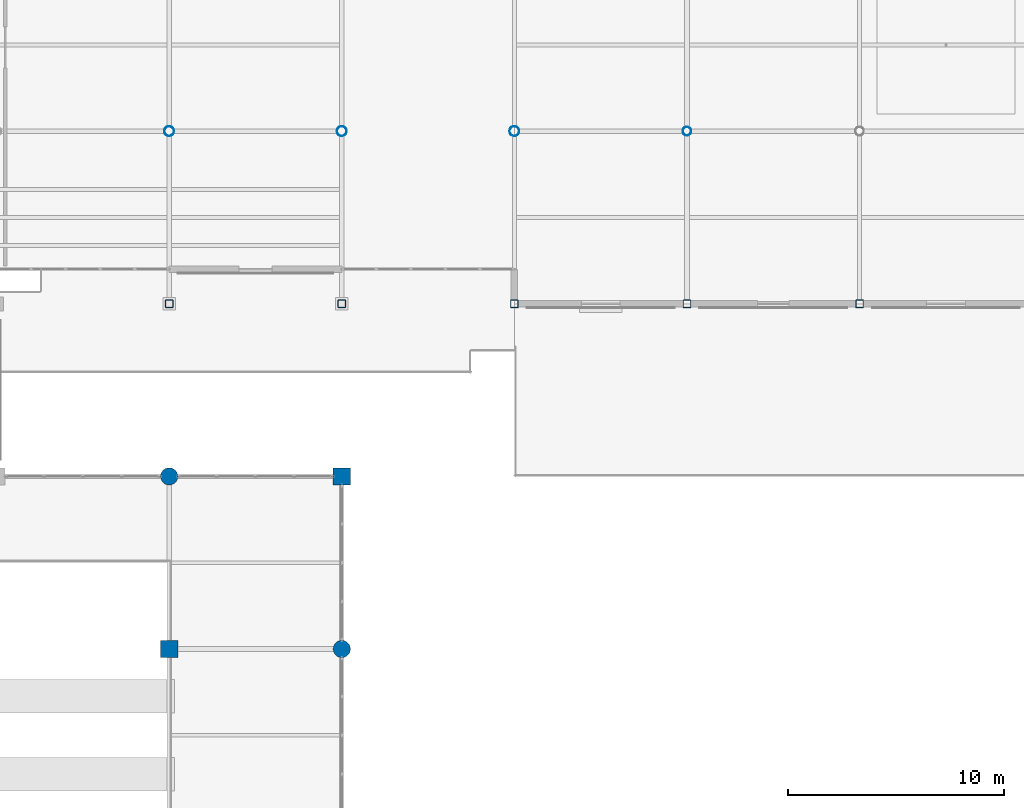
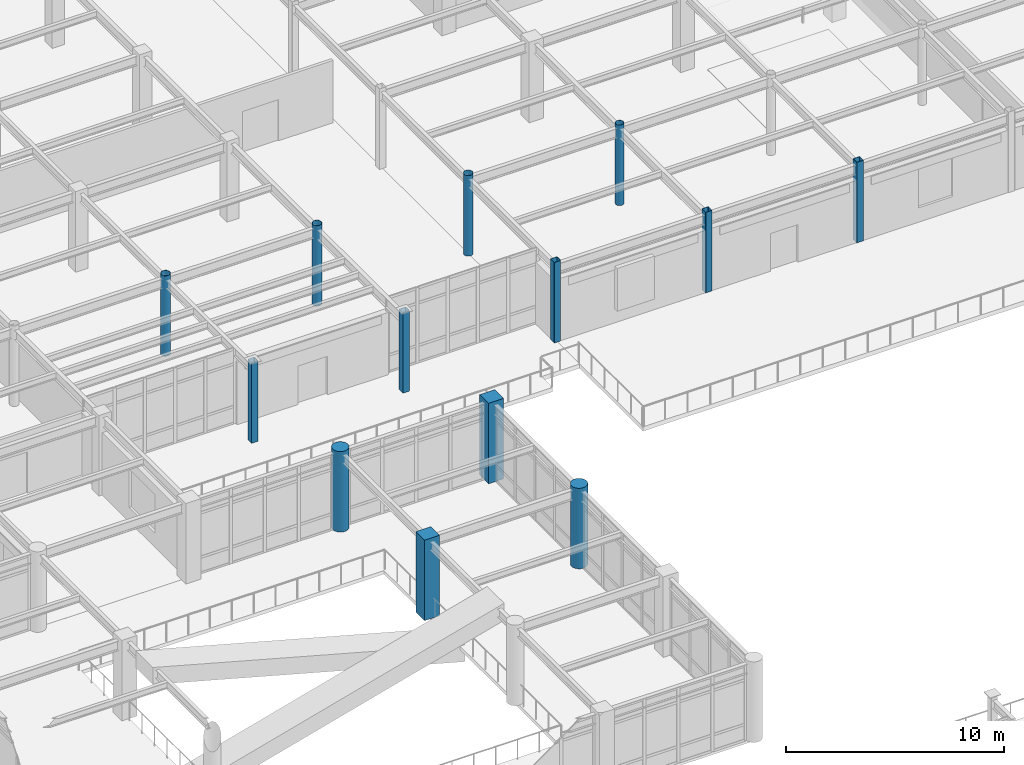
# One storey, part 12 of 111: 13 columns.
"""IFC4 building model written with IfcOpenShell, lengths in metres."""

import ifcopenshell
import ifcopenshell.guid

model = None  # the IFC model being written
_history = None  # IfcOwnerHistory: only IFC2X3 demands one
_inside = {}  # id of a spatial element -> (the spatial element, [elements in it])
_under = {}  # id of a project, library or spatial element -> (it, [spatial elements below it])
_declared = {}  # id of a project -> (the project, [libraries it declares])
_typed = {}  # id of a type object -> (the type object, [elements of that type])
_made_of = {}  # id of a material, layer set ... -> (it, [elements and type objects made of it])


def new_model(schema):
    """Start an empty IFC model of exactly this schema.

    Asked for "IFC4X3", IfcOpenShell would pick the latest addendum, in which some entities
    have other attributes; the version numbers below select the first issue.
    IFC2X3 requires an IfcOwnerHistory on every rooted entity: one is made here for all.
    """
    global model, _history
    if schema == "IFC4X3":
        model = ifcopenshell.file(schema_version=(4, 3, 0, 0))
    else:
        model = ifcopenshell.file(schema=schema)
    _inside.clear()
    _under.clear()
    _declared.clear()
    _typed.clear()
    _made_of.clear()
    _history = None
    if model.schema == "IFC2X3":
        org = make("IfcOrganization", Name="unknown")
        user = make(
            "IfcPersonAndOrganization",
            ThePerson=make("IfcPerson", FamilyName="unknown"),
            TheOrganization=org,
        )
        app = make(
            "IfcApplication",
            ApplicationDeveloper=org,
            Version="unknown",
            ApplicationFullName="unknown",
            ApplicationIdentifier="unknown",
        )
        _history = make(
            "IfcOwnerHistory",
            OwningUser=user,
            OwningApplication=app,
            ChangeAction="ADDED",
            CreationDate=0,
        )
    return model


def make(cls, **values):
    """One entity of the class cls with the attributes given. An attribute that is None is left unset."""
    return model.create_entity(
        cls, **{name: value for name, value in values.items() if value is not None}
    )


def rooted(cls, **values):
    """An entity with a GlobalId (a new one), such as an element, a storey or a relation."""
    return make(cls, GlobalId=ifcopenshell.guid.new(), OwnerHistory=_history, **values)


def si_unit(unit_type, name, prefix=None):
    """IfcSIUnit, for example si_unit("LENGTHUNIT", "METRE", prefix="MILLI")."""
    return make("IfcSIUnit", UnitType=unit_type, Prefix=prefix, Name=name)


def assignment(units):
    """IfcUnitAssignment: the units of a project."""
    return None if units is None else make("IfcUnitAssignment", Units=units)


def point(xyz):
    """IfcCartesianPoint."""
    return None if xyz is None else make("IfcCartesianPoint", Coordinates=xyz)


def direction(xyz):
    """IfcDirection."""
    return None if xyz is None else make("IfcDirection", DirectionRatios=xyz)


def frame(location, z_axis=None, x_axis=None):
    """IfcAxis2Placement3D, a coordinate frame: its origin and axes. An axis left out is left unset."""
    return make(
        "IfcAxis2Placement3D",
        Location=point(location),
        Axis=direction(z_axis),
        RefDirection=direction(x_axis),
    )


def frame_2d(location, x_axis=None):
    """IfcAxis2Placement2D, a coordinate frame in the plane: its origin and x axis."""
    return make(
        "IfcAxis2Placement2D", Location=point(location), RefDirection=direction(x_axis)
    )


def origin():
    """The frame at (0, 0, 0) with its axes left unset."""
    return frame((0.0, 0.0, 0.0))


def origin_2d():
    """The frame at (0, 0) in the plane with its x axis left unset."""
    return frame_2d((0.0, 0.0))


def place(relative_to, where):
    """IfcLocalPlacement: puts the frame where relative to a parent placement (None: the world)."""
    return make(
        "IfcLocalPlacement", PlacementRelTo=relative_to, RelativePlacement=where
    )


def context(
    kind, dimensions, precision=None, world=None, true_north=None, identifier=None
):
    """IfcGeometricRepresentationContext, for example the 3D "Model" context."""
    return make(
        "IfcGeometricRepresentationContext",
        ContextIdentifier=identifier,
        ContextType=kind,
        CoordinateSpaceDimension=dimensions,
        Precision=precision,
        WorldCoordinateSystem=world,
        TrueNorth=true_north,
    )


def subcontext(parent, identifier, kind, view, scale=None):
    """IfcGeometricRepresentationSubContext, for example "Body" below "Model"."""
    return make(
        "IfcGeometricRepresentationSubContext",
        ContextIdentifier=identifier,
        ContextType=kind,
        ParentContext=parent,
        TargetScale=scale,
        TargetView=view,
    )


def project(units=None, contexts=None):
    """IfcProject with its units and contexts."""
    return rooted(
        "IfcProject",
        Name="project",
        RepresentationContexts=contexts,
        UnitsInContext=assignment(units),
    )


def spatial(cls, under=None, at=None, **own):
    """A site, building, storey or space (cls), placed at a placement, below another one or the project."""
    s = rooted(cls, ObjectPlacement=at, **own)
    if under is not None:
        _under.setdefault(under.id(), (under, []))[1].append(s)
    return s


def profile(cls, at=None, kind="AREA", **sizes):
    """A parametric profile (cls). Its sizes go by their IFC names, for example OverallWidth=200.0."""
    return make(cls, ProfileType=kind, Position=at, **sizes)


def rectangle(**sizes):
    """IfcRectangleProfileDef."""
    return profile("IfcRectangleProfileDef", **sizes)


def hollow_rectangle(**sizes):
    """IfcRectangleHollowProfileDef."""
    return profile("IfcRectangleHollowProfileDef", **sizes)


def circle(**sizes):
    """IfcCircleProfileDef."""
    return profile("IfcCircleProfileDef", **sizes)


def hollow_circle(**sizes):
    """IfcCircleHollowProfileDef."""
    return profile("IfcCircleHollowProfileDef", **sizes)


def extrude(swept, where, along, depth):
    """IfcExtrudedAreaSolid: the profile swept, set in the frame where, extruded along a direction by depth."""
    return make(
        "IfcExtrudedAreaSolid",
        SweptArea=swept,
        Position=where,
        ExtrudedDirection=direction(along),
        Depth=depth,
    )


def shape(context_of_items, identifier, shape_type, items):
    """IfcShapeRepresentation: the items that make up one representation, for example the "Body"."""
    return make(
        "IfcShapeRepresentation",
        ContextOfItems=context_of_items,
        RepresentationIdentifier=identifier,
        RepresentationType=shape_type,
        Items=items,
    )


def material(Name=None, Category=None):
    """IfcMaterial."""
    return make("IfcMaterial", Name=Name, Category=Category)


def material_profile(
    of_material, cross_section, Name=None, Category=None, Priority=None
):
    """IfcMaterialProfile: a cross section and its material."""
    return make(
        "IfcMaterialProfile",
        Name=Name,
        Material=of_material,
        Profile=cross_section,
        Priority=Priority,
        Category=Category,
    )


def profile_set(profiles, Name=None, composite=None):
    """IfcMaterialProfileSet."""
    return make(
        "IfcMaterialProfileSet",
        Name=Name,
        MaterialProfiles=profiles,
        CompositeProfile=composite,
    )


def made_of(thing, what):
    """Note that an element or type object is made of a material, layer set ...; save() writes the relation."""
    if what is not None:
        _made_of.setdefault(what.id(), (what, []))[1].append(thing)
    return thing


def type_object(cls, material=None, **own):
    """A type object (cls), such as IfcWallType, which elements share."""
    return made_of(rooted(cls, **own), material)


def element(
    cls,
    number,
    at=None,
    inside=None,
    cuts=None,
    type_object=None,
    material=None,
    context=None,
    identifier="Body",
    shape_type=None,
    held_by="IfcProductDefinitionShape",
    body=None,
    shapes=None,
    **own,
):
    """One element of the class cls, such as IfcWall. Its Tag is "e" and its number.

    at: its placement. inside: the storey or other place that contains it. cuts: it is an
    opening in that element (IfcRelVoidsElement). A single representation is given by context,
    identifier, shape_type and body (its items); several are given by shapes. held_by: the class
    of the entity that holds the representations. save() writes the other relations.
    """
    e = rooted(cls, Tag="e%d" % number, ObjectPlacement=at, **own)
    if body is not None:
        shapes = [shape(context, identifier, shape_type, body)]
    if shapes is not None:
        e.Representation = make(held_by, Representations=shapes)
    if inside is not None:
        _inside.setdefault(inside.id(), (inside, []))[1].append(e)
    if cuts is not None:
        rooted(
            "IfcRelVoidsElement", RelatingBuildingElement=cuts, RelatedOpeningElement=e
        )
    if type_object is not None:
        _typed.setdefault(type_object.id(), (type_object, []))[1].append(e)
    return made_of(e, material)


def aggregate(whole, parts):
    """IfcRelAggregates: a whole, such as a stair, and the parts it consists of."""
    return rooted("IfcRelAggregates", RelatingObject=whole, RelatedObjects=parts)


def save(model, path):
    """Write the relations noted so far, then the file.

    IfcRelAggregates (storeys below a building ...), IfcRelContainedInSpatialStructure (elements
    in a storey), IfcRelDefinesByType, IfcRelAssociatesMaterial and IfcRelDeclares: one each for
    every whole, place, type object, material and project.
    """
    for whole, parts in _under.values():
        aggregate(whole, parts)
    for where, things in _inside.values():
        rooted(
            "IfcRelContainedInSpatialStructure",
            RelatedElements=things,
            RelatingStructure=where,
        )
    for kind, things in _typed.values():
        rooted("IfcRelDefinesByType", RelatedObjects=things, RelatingType=kind)
    for what, things in _made_of.values():
        rooted("IfcRelAssociatesMaterial", RelatedObjects=things, RelatingMaterial=what)
    for by, libraries in _declared.values():
        rooted("IfcRelDeclares", RelatingContext=by, RelatedDefinitions=libraries)
    model.write(path)


model = new_model("IFC4")

# Units and contexts
model_context = context("Model", 3, precision=1e-05, world=origin(), true_north=direction((0.0, 1.0)))
body_context = subcontext(model_context, "Body", "Model", "MODEL_VIEW")
ifc_project = project(units=[si_unit("LENGTHUNIT", "METRE"), si_unit("AREAUNIT", "SQUARE_METRE"), si_unit("VOLUMEUNIT", "CUBIC_METRE"), si_unit("PLANEANGLEUNIT", "RADIAN"), si_unit("MASSUNIT", "GRAM", prefix="KILO")], contexts=[model_context])

# Site, building, storey
site_placement = place(None, origin())
site = spatial("IfcSite", under=ifc_project, at=site_placement, CompositionType="ELEMENT")
building_placement = place(site_placement, origin())
building = spatial("IfcBuilding", under=site, at=building_placement, Name="Solmirada Galleria", CompositionType="ELEMENT")
storey_placement = place(building_placement, frame((0.0, 0.0, 10.39990234375)))
storey = spatial("IfcBuildingStorey", under=building, at=storey_placement, Name="L02", CompositionType="ELEMENT", Elevation=10.39990234375)

# Columns
ifc_material_1 = material(Name="Steel S355 / ASTM A500 Grade C", Category="steel")
ifc_material_profile_1 = material_profile(ifc_material_1, hollow_circle(Radius=0.202880859375, WallThickness=0.01171875, at=origin_2d()), Name="HSS16.000X0.500")
ifc_profile_set_1 = profile_set([ifc_material_profile_1], Name="Steel S355 / ASTM A500 Grade C")
column_type_1 = type_object("IfcColumnType", Name="COL-CHS16", PredefinedType="COLUMN", material=ifc_profile_set_1)
column_placement = place(storey_placement, frame((128.0, 88.0, 0.0), z_axis=(0.0, 0.0, 1.0), x_axis=(1.0, 0.0, 0.0)))
element("IfcColumn", 1, at=column_placement, inside=storey, type_object=column_type_1, Name="Structural column L02-1062", PredefinedType="COLUMN", context=body_context, shape_type="SweptSolid", body=[
    extrude(hollow_circle(Radius=0.202880859375, WallThickness=0.01171875, at=origin_2d()), origin(), (0.0, 0.0, 1.0), 4.5),
])
ifc_material_profile_2 = material_profile(ifc_material_1, hollow_circle(Radius=0.228515625, WallThickness=0.01171875, at=origin_2d()), Name="HSS18.000X0.500")
ifc_profile_set_2 = profile_set([ifc_material_profile_2], Name="Steel S355 / ASTM A500 Grade C")
column_type_2 = type_object("IfcColumnType", Name="COL-CHS18", PredefinedType="COLUMN", material=ifc_profile_set_2)
for number, where, z_axis, x_axis, name in (
    (2, (104.0, 88.0, 0.0), (0.0, 0.0, 1.0), (1.0, 0.0, 0.0), "Structural column L02-0772"),
    (3, (112.0, 88.0, 0.0), (0.0, 0.0, 1.0), (1.0, 0.0, 0.0), "Structural column L02-0888"),
    (4, (120.0, 88.0, 0.0), (0.0, 0.0, 1.0), (1.0, 0.0, 0.0), "Structural column L02-0979"),
):
    element("IfcColumn", number, at=place(storey_placement, frame(where, z_axis=z_axis, x_axis=x_axis)), inside=storey, type_object=column_type_2, Name=name, PredefinedType="COLUMN", context=body_context, shape_type="SweptSolid", body=[
        extrude(hollow_circle(Radius=0.228515625, WallThickness=0.01171875, at=origin_2d()), origin(), (0.0, 0.0, 1.0), 4.5),
    ])
ifc_material_2 = material(Name="Concrete C40/50", Category="concrete")
ifc_material_profile_3 = material_profile(ifc_material_2, circle(Radius=0.39990234375, at=origin_2d()), Name="RCCOL800")
ifc_profile_set_3 = profile_set([ifc_material_profile_3], Name="Concrete C40/50")
column_type_3 = type_object("IfcColumnType", Name="COL-CIR800", PredefinedType="COLUMN", material=ifc_profile_set_3)
for number, where, z_axis, x_axis, name in (
    (5, (104.0, 72.0, 0.0), (0.0, 0.0, 1.0), (1.0, 0.0, 0.0), "Structural column L02-0759"),
    (6, (112.0, 64.0, 0.0), (0.0, 0.0, 1.0), (1.0, 0.0, 0.0), "Structural column L02-0866"),
):
    element("IfcColumn", number, at=place(storey_placement, frame(where, z_axis=z_axis, x_axis=x_axis)), inside=storey, type_object=column_type_3, Name=name, PredefinedType="COLUMN", context=body_context, shape_type="SweptSolid", body=[
        extrude(circle(Radius=0.39990234375, at=origin_2d()), origin(), (0.0, 0.0, 1.0), 4.5),
    ])
ifc_material_profile_4 = material_profile(ifc_material_1, hollow_rectangle(XDim=0.35595703125, YDim=0.35595703125, WallThickness=0.01171875, InnerFilletRadius=0.01171875, OuterFilletRadius=0.023681640625, at=origin_2d()), Name="HSS14X14X1/2")
ifc_profile_set_4 = profile_set([ifc_material_profile_4], Name="Steel S355 / ASTM A500 Grade C")
column_type_4 = type_object("IfcColumnType", Name="COL-HSS14", PredefinedType="COLUMN", material=ifc_profile_set_4)
for number, where, z_axis, x_axis, name in (
    (7, (104.0, 80.0, 0.0), (0.0, 0.0, 1.0), (1.0, 0.0, 0.0), "Structural column L02-0768"),
    (8, (112.0, 80.0, 0.0), (0.0, 0.0, 1.0), (1.0, 0.0, 0.0), "Structural column L02-0884"),
    (9, (120.0, 80.0, 0.0), (0.0, 0.0, 1.0), (1.0, 0.0, 0.0), "Structural column L02-0974"),
    (10, (128.0, 80.0, 0.0), (0.0, 0.0, 1.0), (1.0, 0.0, 0.0), "Structural column L02-1057"),
    (11, (136.0, 80.0, 0.0), (0.0, 0.0, 1.0), (1.0, 0.0, 0.0), "Structural column L02-1158"),
):
    element("IfcColumn", number, at=place(storey_placement, frame(where, z_axis=z_axis, x_axis=x_axis)), inside=storey, type_object=column_type_4, Name=name, PredefinedType="COLUMN", context=body_context, shape_type="SweptSolid", body=[
        extrude(hollow_rectangle(XDim=0.35595703125, YDim=0.35595703125, WallThickness=0.01171875, InnerFilletRadius=0.01171875, OuterFilletRadius=0.023681640625, at=origin_2d()), origin(), (0.0, 0.0, 1.0), 4.5),
    ])
ifc_material_profile_5 = material_profile(ifc_material_2, rectangle(XDim=0.800048828125, YDim=0.800048828125, at=origin_2d()), Name="RC800X800")
ifc_profile_set_5 = profile_set([ifc_material_profile_5], Name="Concrete C40/50")
column_type_5 = type_object("IfcColumnType", Name="COL-RC800", PredefinedType="COLUMN", material=ifc_profile_set_5)
for number, where, z_axis, x_axis, name in (
    (12, (104.0, 64.0, 0.0), (0.0, 0.0, 1.0), (1.0, 0.0, 0.0), "Structural column L02-0752"),
    (13, (112.0, 72.0, 0.0), (0.0, 0.0, 1.0), (1.0, 0.0, 0.0), "Structural column L02-0875"),
):
    element("IfcColumn", number, at=place(storey_placement, frame(where, z_axis=z_axis, x_axis=x_axis)), inside=storey, type_object=column_type_5, Name=name, PredefinedType="COLUMN", context=body_context, shape_type="SweptSolid", body=[
        extrude(rectangle(XDim=0.800048828125, YDim=0.800048828125, at=origin_2d()), origin(), (0.0, 0.0, 1.0), 4.5),
    ])

save(model, "model.ifc")
